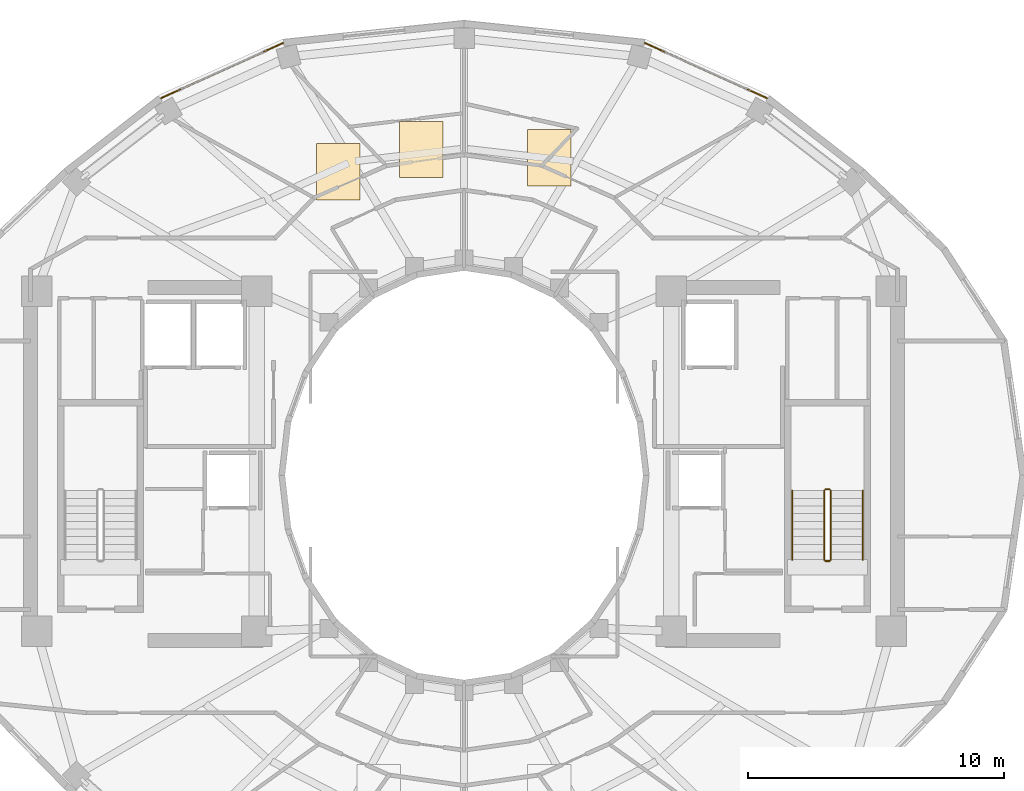
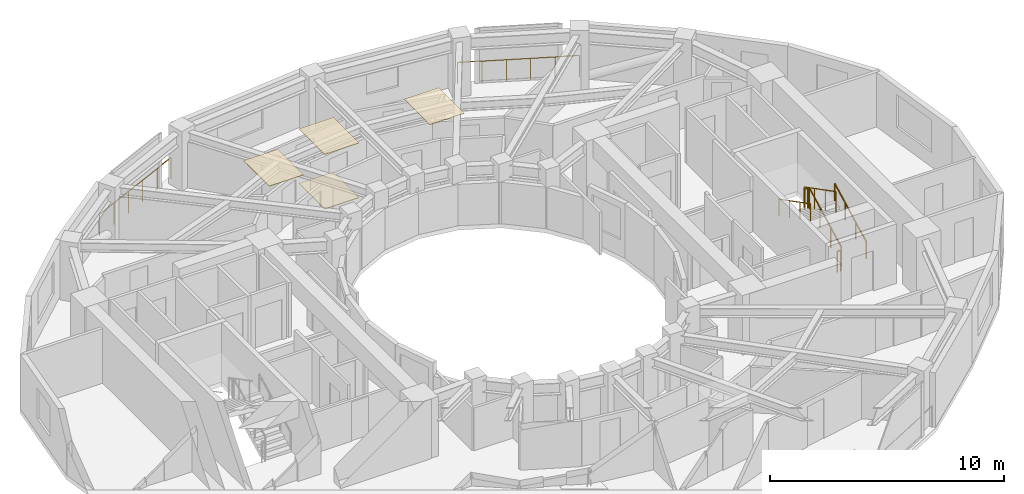
# One storey, part 16 of 16: 8 railings, 4 coverings.
"""IFC4 building model written with IfcOpenShell, lengths in metres."""

from ifc_helpers import new_model, si_unit, direction, frame, origin, origin_2d, place, context, subcontext, project, spatial, polyline, circle, outline, extrude, material, layer, layer_set, type_object, element, save


model = new_model("IFC4")

# Units and contexts
model_context = context("Model", 3, precision=1e-05, world=origin(), true_north=direction((0.0, 1.0)))
body_context = subcontext(model_context, "Body", "Model", "MODEL_VIEW")
ifc_project = project(units=[si_unit("LENGTHUNIT", "METRE"), si_unit("AREAUNIT", "SQUARE_METRE"), si_unit("VOLUMEUNIT", "CUBIC_METRE"), si_unit("PLANEANGLEUNIT", "RADIAN"), si_unit("MASSUNIT", "GRAM", prefix="KILO")], contexts=[model_context])

# Site, building, storey
site_placement = place(None, origin())
site = spatial("IfcSite", under=ifc_project, at=site_placement, CompositionType="ELEMENT")
building_placement = place(site_placement, origin())
building = spatial("IfcBuilding", under=site, at=building_placement, Name="Solvane Sanctuary Tower", CompositionType="ELEMENT")
storey_placement = place(building_placement, frame((0.0, 0.0, 226.39990234375)))
storey = spatial("IfcBuildingStorey", under=building, at=storey_placement, Name="L69", CompositionType="ELEMENT", Elevation=226.39990234375)

# Coverings
ifc_material_1 = material(Name="Acoustic Gypsum Partition Board")
ifc_layer_1 = layer(ifc_material_1, 0.02490234375, Name="Acoustic Gypsum Partition Board")
ifc_layer_set_1 = layer_set([ifc_layer_1], Name="Acoustic Gypsum Partition Board")
covering_type_1 = type_object("IfcCoveringType", Name="Covering CLG-ACOUST", PredefinedType="CEILING", material=ifc_layer_set_1)
covering_1_placement = place(storey_placement, frame((0.0, 0.0, 2.85009765625)))
element("IfcCovering", 1, at=covering_1_placement, inside=storey, type_object=covering_type_1, Name="L69 Unit Acoustic Ceiling Panel 1", PredefinedType="CEILING", context=body_context, shape_type="SweptSolid", body=[
    extrude(outline(polyline([(34.47607421875, 34.31201171875), (36.176025390625, 34.31201171875), (36.176025390625, 36.511962890625), (34.47607421875, 36.511962890625), (34.47607421875, 34.31201171875)])), origin(), (0.0, 0.0, 1.0), 0.030029296875),
])
covering_2_placement = place(storey_placement, frame((0.0, 0.0, 2.85009765625)))
element("IfcCovering", 2, at=covering_2_placement, inside=storey, type_object=covering_type_1, Name="L69 Unit Acoustic Ceiling Panel 2", PredefinedType="CEILING", context=body_context, shape_type="SweptSolid", body=[
    extrude(outline(polyline([(29.472900390625, 34.639892578125), (31.173095703125, 34.639892578125), (31.173095703125, 36.840087890625), (29.472900390625, 36.840087890625), (29.472900390625, 34.639892578125)])), origin(), (0.0, 0.0, 1.0), 0.030029296875),
])
covering_3_placement = place(storey_placement, frame((0.0, 0.0, 2.85009765625)))
element("IfcCovering", 3, at=covering_3_placement, inside=storey, type_object=covering_type_1, Name="L69 Unit Acoustic Ceiling Panel 3", PredefinedType="CEILING", context=body_context, shape_type="SweptSolid", body=[
    extrude(outline(polyline([(26.23291015625, 33.77197265625), (27.93310546875, 33.77197265625), (27.93310546875, 35.971923828125), (26.23291015625, 35.971923828125), (26.23291015625, 33.77197265625)])), origin(), (0.0, 0.0, 1.0), 0.030029296875),
])
ifc_material_2 = material(Name="Ceramic Tile Finish")
ifc_layer_2 = layer(ifc_material_2, 0.030029296875, Name="Ceramic Tile Finish")
ifc_layer_set_2 = layer_set([ifc_layer_2], Name="Ceramic Tile Finish")
covering_type_2 = type_object("IfcCoveringType", Name="Covering FLR-TERRAZZO", PredefinedType="FLOORING", material=ifc_layer_set_2)
covering_4_placement = place(storey_placement, origin())
element("IfcCovering", 4, at=covering_4_placement, inside=storey, type_object=covering_type_2, Name="L69 Unit Terrazzo Inlay 2", PredefinedType="FLOORING", context=body_context, shape_type="SweptSolid", body=[
    extrude(outline(polyline([(29.472900390625, 34.639892578125), (31.173095703125, 34.639892578125), (31.173095703125, 36.840087890625), (29.472900390625, 36.840087890625), (29.472900390625, 34.639892578125)])), origin(), (0.0, 0.0, 1.0), 0.03515625),
])

# Railings
ifc_material_3 = material(Name="Architectural Stainless Steel 316", Category="steel")
railing_type_1 = type_object("IfcRailingType", Name="Railing GR-BALC-1150", PredefinedType="BALUSTRADE", material=ifc_material_3)
railing_1_placement = place(storey_placement, frame((43.8427734375, 37.744873046875, 0.0)))
element("IfcRailing", 5, at=railing_1_placement, inside=storey, type_object=railing_type_1, Name="L69 Curtain-Wall Perimeter Sill Guard 04", PredefinedType="BALUSTRADE", context=body_context, shape_type="SweptSolid", body=[
    extrude(circle(Radius=0.02392578125, at=origin_2d()), frame((0.0, 0.0, 1.1259765625), z_axis=(-0.911425316527, 0.411465542171, 0.0), x_axis=(-0.411465542171, -0.911425316527, 0.0)), (0.0, 0.0, 1.0), 5.236328125),
    extrude(circle(Radius=0.02099609375, at=origin_2d()), origin(), (0.0, 0.0, 1.0), 1.101806640625),
    extrude(circle(Radius=0.02099609375, at=origin_2d()), frame((-0.95458984375, 0.430908203125, 0.0)), (0.0, 0.0, 1.0), 1.101806640625),
    extrude(circle(Radius=0.02099609375, at=origin_2d()), frame((-1.908935546875, 0.86181640625, 0.0)), (0.0, 0.0, 1.0), 1.101806640625),
    extrude(circle(Radius=0.02099609375, at=origin_2d()), frame((-2.863525390625, 1.292724609375, 0.0)), (0.0, 0.0, 1.0), 1.101806640625),
    extrude(circle(Radius=0.02099609375, at=origin_2d()), frame((-3.81787109375, 1.7236328125, 0.0)), (0.0, 0.0, 1.0), 1.101806640625),
    extrude(circle(Radius=0.02099609375, at=origin_2d()), frame((-4.7724609375, 2.154541015625, 0.0)), (0.0, 0.0, 1.0), 1.101806640625),
])
railing_2_placement = place(storey_placement, frame((24.9296875, 39.8994140625, 0.0)))
element("IfcRailing", 6, at=railing_2_placement, inside=storey, type_object=railing_type_1, Name="L69 Curtain-Wall Perimeter Sill Guard 07", PredefinedType="BALUSTRADE", context=body_context, shape_type="SweptSolid", body=[
    extrude(circle(Radius=0.02392578125, at=origin_2d()), frame((0.0, 0.0, 1.1259765625), z_axis=(-0.911425316527, -0.411465542171, 0.0), x_axis=(0.411465542171, -0.911425316527, 0.0)), (0.0, 0.0, 1.0), 5.236328125),
    extrude(circle(Radius=0.02099609375, at=origin_2d()), origin(), (0.0, 0.0, 1.0), 1.101806640625),
    extrude(circle(Radius=0.02099609375, at=origin_2d()), frame((-0.95458984375, -0.430908203125, 0.0)), (0.0, 0.0, 1.0), 1.101806640625),
    extrude(circle(Radius=0.02099609375, at=origin_2d()), frame((-1.908935546875, -0.86181640625, 0.0)), (0.0, 0.0, 1.0), 1.101806640625),
    extrude(circle(Radius=0.02099609375, at=origin_2d()), frame((-2.863525390625, -1.292724609375, 0.0)), (0.0, 0.0, 1.0), 1.101806640625),
    extrude(circle(Radius=0.02099609375, at=origin_2d()), frame((-3.81787109375, -1.7236328125, 0.0)), (0.0, 0.0, 1.0), 1.101806640625),
    extrude(circle(Radius=0.02099609375, at=origin_2d()), frame((-4.7724609375, -2.154541015625, 0.0)), (0.0, 0.0, 1.0), 1.101806640625),
])
railing_3_placement = place(storey_placement, frame((46.340087890625, 19.699951171875, 0.155029296875)))
element("IfcRailing", 7, at=railing_3_placement, inside=storey, type_object=railing_type_1, Name="L69 ST-2 stair guard 1", PredefinedType="BALUSTRADE", context=body_context, shape_type="SweptSolid", body=[
    extrude(circle(Radius=0.02392578125, at=origin_2d()), frame((0.0, 0.0, 1.076171875), z_axis=(0.0, 0.888419900624, 0.459031676658), x_axis=(-1.0, 0.0, 0.0)), (0.0, 0.0, 1.0), 3.0390625),
    extrude(circle(Radius=0.02099609375, at=origin_2d()), origin(), (0.0, 0.0, 1.0), 1.052001953125),
    extrude(circle(Radius=0.02099609375, at=origin_2d()), frame((0.0, 0.89990234375, 0.465087890625)), (0.0, 0.0, 1.0), 1.052001953125),
    extrude(circle(Radius=0.02099609375, at=origin_2d()), frame((0.0, 1.800048828125, 0.929931640625)), (0.0, 0.0, 1.0), 1.052001953125),
    extrude(circle(Radius=0.02099609375, at=origin_2d()), frame((0.0, 2.699951171875, 1.39501953125)), (0.0, 0.0, 1.0), 1.052001953125),
])
railing_4_placement = place(storey_placement, frame((46.2900390625, 22.449951171875, 1.550048828125)))
element("IfcRailing", 8, at=railing_4_placement, inside=storey, type_object=railing_type_1, Name="L69 ST-2 stair guard 2", PredefinedType="BALUSTRADE", context=body_context, shape_type="SweptSolid", body=[
    extrude(circle(Radius=0.02392578125, at=origin_2d()), frame((0.0, 0.0, 1.076171875), z_axis=(-1.0, 0.0, 0.0), x_axis=(0.0, -1.0, 0.0)), (0.0, 0.0, 1.0), 0.16015625),
    extrude(circle(Radius=0.02099609375, at=origin_2d()), origin(), (0.0, 0.0, 1.0), 1.052001953125),
    extrude(circle(Radius=0.02099609375, at=origin_2d()), frame((-0.16015625, 0.0, 0.0)), (0.0, 0.0, 1.0), 1.052001953125),
])
railing_5_placement = place(storey_placement, frame((46.080078125, 22.39990234375, 1.705078125)))
element("IfcRailing", 9, at=railing_5_placement, inside=storey, type_object=railing_type_1, Name="L69 ST-2 stair guard 3", PredefinedType="BALUSTRADE", context=body_context, shape_type="SweptSolid", body=[
    extrude(circle(Radius=0.02392578125, at=origin_2d()), frame((0.0, 0.0, 1.076171875), z_axis=(0.0, -0.888419900624, 0.459031676658), x_axis=(1.0, 0.0, 0.0)), (0.0, 0.0, 1.0), 3.0390625),
    extrude(circle(Radius=0.02099609375, at=origin_2d()), origin(), (0.0, 0.0, 1.0), 1.052001953125),
    extrude(circle(Radius=0.02099609375, at=origin_2d()), frame((0.0, -0.89990234375, 0.465087890625)), (0.0, 0.0, 1.0), 1.052001953125),
    extrude(circle(Radius=0.02099609375, at=origin_2d()), frame((0.0, -1.800048828125, 0.929931640625)), (0.0, 0.0, 1.0), 1.052001953125),
    extrude(circle(Radius=0.02099609375, at=origin_2d()), frame((0.0, -2.699951171875, 1.39501953125)), (0.0, 0.0, 1.0), 1.052001953125),
])
railing_6_placement = place(storey_placement, frame((46.2900390625, 19.64990234375, 0.0)))
element("IfcRailing", 10, at=railing_6_placement, inside=storey, type_object=railing_type_1, Name="L69 ST-2 stair guard 4", PredefinedType="BALUSTRADE", context=body_context, shape_type="SweptSolid", body=[
    extrude(circle(Radius=0.02392578125, at=origin_2d()), frame((0.0, 0.0, 1.076171875), z_axis=(-1.0, 0.0, 0.0), x_axis=(0.0, -1.0, 0.0)), (0.0, 0.0, 1.0), 0.16015625),
    extrude(circle(Radius=0.02099609375, at=origin_2d()), origin(), (0.0, 0.0, 1.0), 1.052001953125),
    extrude(circle(Radius=0.02099609375, at=origin_2d()), frame((-0.16015625, 0.0, 0.0)), (0.0, 0.0, 1.0), 1.052001953125),
])
railing_type_2 = type_object("IfcRailingType", Name="Railing HR-STAIR-920", PredefinedType="HANDRAIL", material=ifc_material_3)
railing_7_placement = place(storey_placement, frame((47.590087890625, 19.699951171875, 0.155029296875)))
element("IfcRailing", 11, at=railing_7_placement, inside=storey, type_object=railing_type_2, Name="L69 ST-2 stair handrail 1", PredefinedType="HANDRAIL", context=body_context, shape_type="SweptSolid", body=[
    extrude(circle(Radius=0.02392578125, at=origin_2d()), frame((0.0, 0.0, 0.8759765625), z_axis=(0.0, 0.888419900624, 0.459031676658), x_axis=(-1.0, 0.0, 0.0)), (0.0, 0.0, 1.0), 3.0390625),
    extrude(circle(Radius=0.02099609375, at=origin_2d()), origin(), (0.0, 0.0, 1.0), 0.851806640625),
    extrude(circle(Radius=0.02099609375, at=origin_2d()), frame((0.0, 0.89990234375, 0.465087890625)), (0.0, 0.0, 1.0), 0.851806640625),
    extrude(circle(Radius=0.02099609375, at=origin_2d()), frame((0.0, 1.800048828125, 0.929931640625)), (0.0, 0.0, 1.0), 0.851806640625),
    extrude(circle(Radius=0.02099609375, at=origin_2d()), frame((0.0, 2.699951171875, 1.39501953125)), (0.0, 0.0, 1.0), 0.851806640625),
])
railing_8_placement = place(storey_placement, frame((44.830078125, 22.39990234375, 1.705078125)))
element("IfcRailing", 12, at=railing_8_placement, inside=storey, type_object=railing_type_2, Name="L69 ST-2 stair handrail 2", PredefinedType="HANDRAIL", context=body_context, shape_type="SweptSolid", body=[
    extrude(circle(Radius=0.02392578125, at=origin_2d()), frame((0.0, 0.0, 0.8759765625), z_axis=(0.0, -0.888419900624, 0.459031676658), x_axis=(1.0, 0.0, 0.0)), (0.0, 0.0, 1.0), 3.0390625),
    extrude(circle(Radius=0.02099609375, at=origin_2d()), origin(), (0.0, 0.0, 1.0), 0.851806640625),
    extrude(circle(Radius=0.02099609375, at=origin_2d()), frame((0.0, -0.89990234375, 0.465087890625)), (0.0, 0.0, 1.0), 0.851806640625),
    extrude(circle(Radius=0.02099609375, at=origin_2d()), frame((0.0, -1.800048828125, 0.929931640625)), (0.0, 0.0, 1.0), 0.851806640625),
    extrude(circle(Radius=0.02099609375, at=origin_2d()), frame((0.0, -2.699951171875, 1.39501953125)), (0.0, 0.0, 1.0), 0.851806640625),
])

save(model, "model.ifc")
